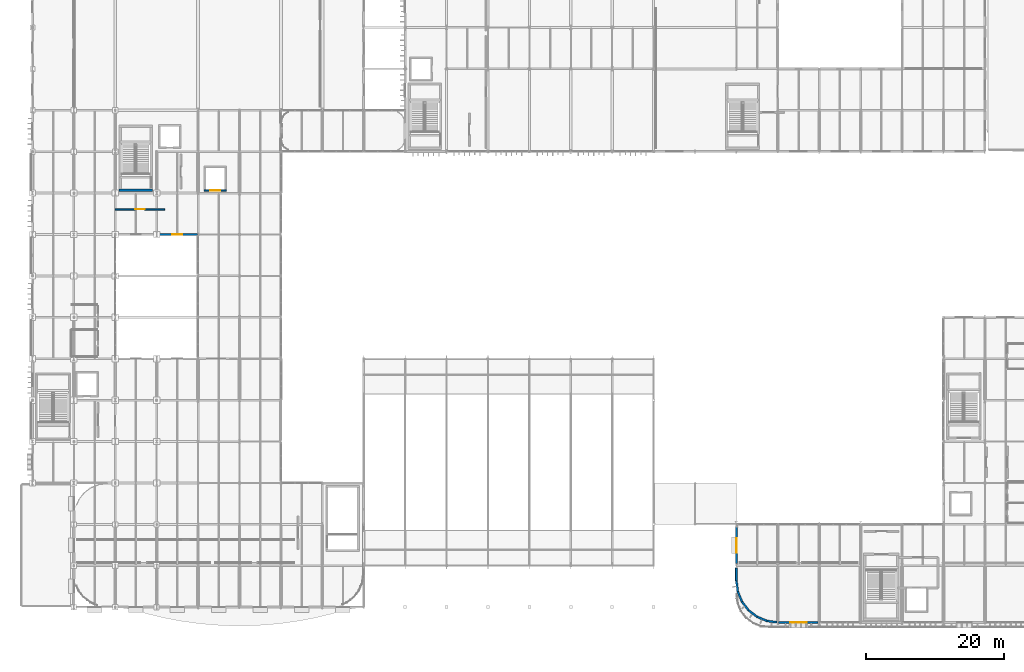
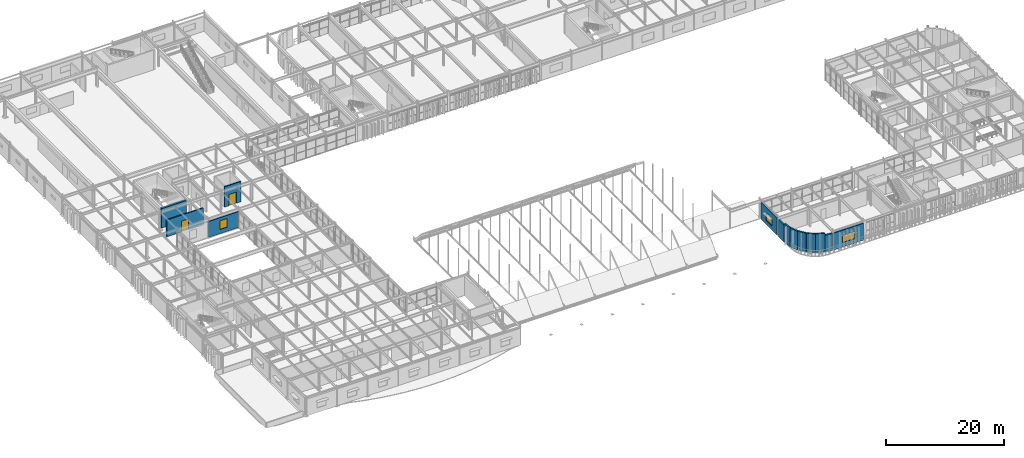
# One storey, part 87 of 116: 13 walls, 3 windows, 2 doors, 5 openings.
"""IFC4 building model written with IfcOpenShell, lengths in metres."""

from ifc_helpers import new_model, si_unit, direction, frame, frame_2d, origin, place, context, subcontext, project, spatial, rectangle, extrude, material, layer, layer_set, type_object, element, fill, save


model = new_model("IFC4")

# Units and contexts
model_context = context("Model", 3, precision=1e-05, world=origin(), true_north=direction((0.0, 1.0)))
body_context = subcontext(model_context, "Body", "Model", "MODEL_VIEW")
ifc_project = project(units=[si_unit("LENGTHUNIT", "METRE"), si_unit("AREAUNIT", "SQUARE_METRE"), si_unit("VOLUMEUNIT", "CUBIC_METRE"), si_unit("PLANEANGLEUNIT", "RADIAN"), si_unit("MASSUNIT", "GRAM", prefix="KILO")], contexts=[model_context])

# Site, building, storey
site_placement = place(None, origin())
site = spatial("IfcSite", under=ifc_project, at=site_placement, CompositionType="ELEMENT")
building_placement = place(site_placement, origin())
building = spatial("IfcBuilding", under=site, at=building_placement, Name="Varnakota Square Police Headquarters", CompositionType="ELEMENT")
storey_placement = place(building_placement, frame((0.0, 0.0, 9.300048828125)))
storey = spatial("IfcBuildingStorey", under=building, at=storey_placement, Name="L02", CompositionType="ELEMENT", Elevation=9.300048828125)

# Wall, opening, door
ifc_material_1 = material(Name="Concrete M40", Category="concrete")
ifc_layer_1 = layer(ifc_material_1, 0.22998046875, Name="Concrete M40")
ifc_layer_set_1 = layer_set([ifc_layer_1], Name="Concrete M40")
wall_type_1 = type_object("IfcWallType", Name="WL-CORE-230", PredefinedType="SHEAR", material=ifc_layer_set_1)
wall_1_placement = place(storey_placement, frame((30.885009765625, 63.39990234375, 0.0), z_axis=(0.0, 0.0, 1.0), x_axis=(1.0, 0.0, 0.0)))
wall_1 = element("IfcWall", 1, at=wall_1_placement, inside=storey, type_object=wall_type_1, Name="Lift shaft wall LF-G1 L02 S", PredefinedType="SHEAR", context=body_context, shape_type="SweptSolid", body=[
    extrude(rectangle(XDim=3.22998046875, YDim=0.22998046875, at=frame_2d((1.614990234375, 0.0))), origin(), (0.0, 0.0, 1.0), 4.199951171875),
])
opening_1_placement = place(wall_1_placement, frame((0.9150390625, 0.0, 0.0)))
opening_1 = element("IfcOpeningElement", 2, at=opening_1_placement, cuts=wall_1, Name="Opening LD047", PredefinedType="OPENING", context=body_context, shape_type="SweptSolid", body=[
    extrude(rectangle(XDim=1.39990234375, YDim=2.300048828125, at=frame_2d((0.699951171875, 1.14990234375))), frame((0.0, 0.125, 0.0), z_axis=(0.0, -1.0, 0.0), x_axis=(1.0, 0.0, 0.0)), (0.0, 0.0, 1.0), 0.25),
])
ifc_material_2 = material(Name="Heavy-Gauge Brushed Stainless Steel", Category="steel")
door_type_1 = type_object("IfcDoorType", Name="DR-LD-GDS", OperationType="NOTDEFINED", PredefinedType="DOOR", material=ifc_material_2)
door_1_placement = place(opening_1_placement, origin())
door_1 = element("IfcDoor", 3, at=door_1_placement, inside=storey, type_object=door_type_1, Name="Lift sliding landing door LD047", OperationType="SLIDING_TO_LEFT", OverallHeight=2.300048828125, OverallWidth=1.39990234375, PredefinedType="DOOR", context=body_context, shape_type="SweptSolid", body=[
    extrude(rectangle(XDim=1.39990234375, YDim=2.300048828125, at=frame_2d((0.699951171875, 1.14990234375))), frame((0.0, 0.02490234375, 0.0), z_axis=(0.0, -1.0, 0.0), x_axis=(1.0, 0.0, 0.0)), (0.0, 0.0, 1.0), 0.050048828125),
])
fill(opening_1, door_1)

# Wall
ifc_material_3 = material(Name="Concrete M50", Category="concrete")
ifc_layer_2 = layer(ifc_material_3, 0.35009765625, Name="Concrete M50")
ifc_layer_set_2 = layer_set([ifc_layer_2], Name="Concrete M50")
wall_type_2 = type_object("IfcWallType", Name="WL-CORE-350", PredefinedType="SHEAR", material=ifc_layer_set_2)
wall_2_placement = place(storey_placement, frame((18.52490234375, 63.39990234375, 0.0), z_axis=(0.0, 0.0, 1.0), x_axis=(1.0, 0.0, 0.0)))
element("IfcWall", 4, at=wall_2_placement, inside=storey, type_object=wall_type_2, Name="Core C5 shear wall L02 S", PredefinedType="SHEAR", context=body_context, shape_type="SweptSolid", body=[
    extrude(rectangle(XDim=4.85009765625, YDim=0.35009765625, at=frame_2d((2.425048828125, 0.0))), origin(), (0.0, 0.0, 1.0), 4.06005859375),
])

# Wall, opening, window
ifc_layer_3 = layer(ifc_material_1, 0.239990234375, Name="Concrete M40")
ifc_layer_set_3 = layer_set([ifc_layer_3], Name="Concrete M40")
wall_type_3 = type_object("IfcWallType", Name="WL-EXT-240", PredefinedType="SOLIDWALL", material=ifc_layer_set_3)
wall_3_placement = place(storey_placement, frame((24.0, 57.0, 0.0), z_axis=(0.0, 0.0, 1.0), x_axis=(1.0, 0.0, 0.0)))
wall_3 = element("IfcWall", 5, at=wall_3_placement, inside=storey, type_object=wall_type_3, Name="Court exterior wall EW-L02-0425", PredefinedType="SOLIDWALL", context=body_context, shape_type="SweptSolid", body=[
    extrude(rectangle(XDim=5.949951171875, YDim=0.239990234375, at=frame_2d((2.97509765625, 0.0))), origin(), (0.0, 0.0, 1.0), 3.2900390625),
])
opening_2_placement = place(wall_3_placement, frame((2.27490234375, 0.0, 0.85009765625)))
opening_2 = element("IfcOpeningElement", 6, at=opening_2_placement, cuts=wall_3, Name="Opening W16", PredefinedType="OPENING", context=body_context, shape_type="SweptSolid", body=[
    extrude(rectangle(XDim=1.39990234375, YDim=1.800048828125, at=frame_2d((0.699951171875, 0.89990234375))), frame((0.0, 0.1298828125, 0.0), z_axis=(0.0, -1.0, 0.0), x_axis=(1.0, 0.0, 0.0)), (0.0, 0.0, 1.0), 0.260009765625),
])
ifc_material_4 = material(Name="Thermally Broken Aluminium Double-Glazed Window", Category="aluminium")
window_type_1 = type_object("IfcWindowType", Name="WIN-16", PartitioningType="SINGLE_PANEL", PredefinedType="WINDOW", material=ifc_material_4)
window_1_placement = place(opening_2_placement, origin())
window_1 = element("IfcWindow", 7, at=window_1_placement, inside=storey, type_object=window_type_1, Name="Window WN-L02-0088", OverallHeight=1.800048828125, OverallWidth=1.39990234375, PartitioningType="SINGLE_PANEL", PredefinedType="WINDOW", context=body_context, shape_type="SweptSolid", body=[
    extrude(rectangle(XDim=1.39990234375, YDim=1.800048828125, at=frame_2d((0.699951171875, 0.89990234375))), frame((0.0, 0.030029296875, 0.0), z_axis=(0.0, -1.0, 0.0), x_axis=(1.0, 0.0, 0.0)), (0.0, 0.0, 1.0), 0.06005859375),
])
fill(opening_2, window_1)

ifc_layer_4 = layer(ifc_material_1, 0.280029296875, Name="Concrete M40")
ifc_layer_set_4 = layer_set([ifc_layer_4], Name="Concrete M40")
wall_type_4 = type_object("IfcWallType", Name="WL-EXT-280", PredefinedType="SOLIDWALL", material=ifc_layer_set_4)
wall_4_placement = place(storey_placement, frame((114.10888671875, 0.800048828125, 0.0), z_axis=(0.0, 0.0, 1.0), x_axis=(1.0, 0.0, 0.0)))
wall_4 = element("IfcWall", 8, at=wall_4_placement, inside=storey, type_object=wall_type_4, Name="Exterior wall EW-L02-0176", PredefinedType="SOLIDWALL", context=body_context, shape_type="SweptSolid", body=[
    extrude(rectangle(XDim=5.72705078125, YDim=0.280029296875, at=frame_2d((2.863525390625, 0.0))), origin(), (0.0, 0.0, 1.0), 3.483642578125),
])
opening_3_placement = place(wall_4_placement, frame((1.66357421875, 0.0, 0.89990234375)))
opening_3 = element("IfcOpeningElement", 9, at=opening_3_placement, cuts=wall_4, Name="Opening W02", PredefinedType="OPENING", context=body_context, shape_type="SweptSolid", body=[
    extrude(rectangle(XDim=2.39990234375, YDim=1.5, at=frame_2d((1.199951171875, 0.75))), frame((0.0, 0.14990234375, 0.0), z_axis=(0.0, -1.0, 0.0), x_axis=(1.0, 0.0, 0.0)), (0.0, 0.0, 1.0), 0.300048828125),
])
window_type_2 = type_object("IfcWindowType", Name="WIN-02", PartitioningType="SINGLE_PANEL", PredefinedType="WINDOW", material=ifc_material_4)
window_2_placement = place(opening_3_placement, origin())
window_2 = element("IfcWindow", 10, at=window_2_placement, inside=storey, type_object=window_type_2, Name="Window WN-L02-0026", OverallHeight=1.5, OverallWidth=2.39990234375, PartitioningType="SINGLE_PANEL", PredefinedType="WINDOW", context=body_context, shape_type="SweptSolid", body=[
    extrude(rectangle(XDim=2.39990234375, YDim=1.5, at=frame_2d((1.199951171875, 0.75))), frame((0.0, 0.030029296875, 0.0), z_axis=(0.0, -1.0, 0.0), x_axis=(1.0, 0.0, 0.0)), (0.0, 0.0, 1.0), 0.06005859375),
])
fill(opening_3, window_2)

# Wall
wall_5_placement = place(storey_placement, frame((108.0, 6.800048828125, 0.0), z_axis=(0.0, 0.0, 1.0), x_axis=(0.0, 1.0, 0.0)))
element("IfcWall", 11, at=wall_5_placement, inside=storey, type_object=wall_type_4, Name="Exterior wall EW-L02-0188", PredefinedType="SOLIDWALL", context=body_context, shape_type="SweptSolid", body=[
    extrude(rectangle(XDim=1.89599609375, YDim=0.280029296875, at=frame_2d((0.947998046875, 0.0))), origin(), (0.0, 0.0, 1.0), 3.566162109375),
])

# Wall, opening, window
wall_6_placement = place(storey_placement, frame((108.0, 9.303955078125, 0.0), z_axis=(0.0, 0.0, 1.0), x_axis=(0.0, 1.0, 0.0)))
wall_6 = element("IfcWall", 12, at=wall_6_placement, inside=storey, type_object=wall_type_4, Name="Exterior wall EW-L02-0189", PredefinedType="SOLIDWALL", context=body_context, shape_type="SweptSolid", body=[
    extrude(rectangle(XDim=5.2919921875, YDim=0.280029296875, at=frame_2d((2.64599609375, 0.0))), origin(), (0.0, 0.0, 1.0), 3.566162109375),
])
opening_4_placement = place(wall_6_placement, frame((1.595947265625, 0.0, 0.89990234375)))
opening_4 = element("IfcOpeningElement", 13, at=opening_4_placement, cuts=wall_6, Name="Opening W08", PredefinedType="OPENING", context=body_context, shape_type="SweptSolid", body=[
    extrude(rectangle(XDim=2.10009765625, YDim=1.5, at=frame_2d((1.050048828125, 0.75))), frame((0.0, 0.14990234375, 0.0), z_axis=(0.0, -1.0, 0.0), x_axis=(1.0, 0.0, 0.0)), (0.0, 0.0, 1.0), 0.300048828125),
])
window_type_3 = type_object("IfcWindowType", Name="WIN-08", PartitioningType="SINGLE_PANEL", PredefinedType="WINDOW", material=ifc_material_4)
window_3_placement = place(opening_4_placement, origin())
window_3 = element("IfcWindow", 14, at=window_3_placement, inside=storey, type_object=window_type_3, Name="Window WN-L02-0029", OverallHeight=1.5, OverallWidth=2.10009765625, PartitioningType="SINGLE_PANEL", PredefinedType="WINDOW", context=body_context, shape_type="SweptSolid", body=[
    extrude(rectangle(XDim=2.10009765625, YDim=1.5, at=frame_2d((1.050048828125, 0.75))), frame((0.0, 0.030029296875, 0.0), z_axis=(0.0, -1.0, 0.0), x_axis=(1.0, 0.0, 0.0)), (0.0, 0.0, 1.0), 0.06005859375),
])
fill(opening_4, window_3)

# Walls
ifc_material_5 = material(Name="Precast concrete M40", Category="concrete")
ifc_layer_5 = layer(ifc_material_5, 0.300048828125, Name="Precast concrete M40")
ifc_layer_set_5 = layer_set([ifc_layer_5], Name="Precast concrete M40")
wall_type_5 = type_object("IfcWallType", Name="WL-EXT-300", PredefinedType="SOLIDWALL", material=ifc_layer_set_5)
wall_7_placement = place(storey_placement, frame((108.0, 6.800048828125, 0.0), z_axis=(0.0, 0.0, 1.0), x_axis=(0.130458544462, -0.991453765022, 0.0)))
element("IfcWall", 15, at=wall_7_placement, inside=storey, type_object=wall_type_5, Name="Exterior wall EW-L02-0193", PredefinedType="SOLIDWALL", context=body_context, shape_type="SweptSolid", body=[
    extrude(rectangle(XDim=1.56640625, YDim=0.300048828125, at=frame_2d((0.783203125, 0.0))), origin(), (0.0, 0.0, 1.0), 3.89501953125),
])
wall_8_placement = place(storey_placement, frame((108.204345703125, 5.2470703125, 0.0), z_axis=(0.0, 0.0, 1.0), x_axis=(0.382677606907, -0.923881945474, 0.0)))
element("IfcWall", 16, at=wall_8_placement, inside=storey, type_object=wall_type_5, Name="Exterior wall EW-L02-0194", PredefinedType="SOLIDWALL", context=body_context, shape_type="SweptSolid", body=[
    extrude(rectangle(XDim=1.566162109375, YDim=0.300048828125, at=frame_2d((0.783203125, 0.0))), origin(), (0.0, 0.0, 1.0), 3.89501953125),
])
for number, where, z_axis, x_axis, name in (
    (17, (108.8037109375, 3.800048828125, 0.0), (0.0, 0.0, 1.0), (0.608791411033, -0.793330333374, 0.0), "Exterior wall EW-L02-0195"),
    (18, (109.75732421875, 2.557373046875, 0.0), (0.0, 0.0, 1.0), (0.793330333374, -0.608791411033, 0.0), "Exterior wall EW-L02-0196"),
):
    element("IfcWall", number, at=place(storey_placement, frame(where, z_axis=z_axis, x_axis=x_axis)), inside=storey, type_object=wall_type_5, Name=name, PredefinedType="SOLIDWALL", context=body_context, shape_type="SweptSolid", body=[
        extrude(rectangle(XDim=1.56640625, YDim=0.300048828125, at=frame_2d((0.783203125, 0.0))), origin(), (0.0, 0.0, 1.0), 3.89501953125),
    ])
wall_9_placement = place(storey_placement, frame((111.0, 1.603759765625, 0.0), z_axis=(0.0, 0.0, 1.0), x_axis=(0.923881945474, -0.382677606907, 0.0)))
element("IfcWall", 19, at=wall_9_placement, inside=storey, type_object=wall_type_5, Name="Exterior wall EW-L02-0197", PredefinedType="SOLIDWALL", context=body_context, shape_type="SweptSolid", body=[
    extrude(rectangle(XDim=1.566162109375, YDim=0.300048828125, at=frame_2d((0.783203125, 0.0))), origin(), (0.0, 0.0, 1.0), 3.89501953125),
])
wall_10_placement = place(storey_placement, frame((112.447021484375, 1.00439453125, 0.0), z_axis=(0.0, 0.0, 1.0), x_axis=(0.991438478362, -0.130574666853, 0.0)))
element("IfcWall", 20, at=wall_10_placement, inside=storey, type_object=wall_type_5, Name="Exterior wall EW-L02-0198", PredefinedType="SOLIDWALL", context=body_context, shape_type="SweptSolid", body=[
    extrude(rectangle(XDim=1.419189453125, YDim=0.300048828125, at=frame_2d((0.70947265625, 0.0))), origin(), (0.0, 0.0, 1.0), 3.483642578125),
])

# Wall, opening, door
ifc_layer_6 = layer(ifc_material_1, 0.215087890625, Name="Concrete M40")
ifc_layer_set_6 = layer_set([ifc_layer_6], Name="Concrete M40")
wall_type_6 = type_object("IfcWallType", Name="WL-PRT-215F", PredefinedType="PARTITIONING", material=ifc_layer_set_6)
wall_11_placement = place(storey_placement, frame((25.159912109375, 60.64990234375, 0.0), z_axis=(0.0, 0.0, 1.0), x_axis=(-1.0, 0.0, 0.0)))
wall_11 = element("IfcWall", 21, at=wall_11_placement, inside=storey, type_object=wall_type_6, Name="Interior partition PW-L02-0142 (Evidence Storage Vault North)", PredefinedType="PARTITIONING", context=body_context, shape_type="SweptSolid", body=[
    extrude(rectangle(XDim=7.159912109375, YDim=0.215087890625, at=frame_2d((3.580078125, 0.0))), origin(), (0.0, 0.0, 1.0), 3.489990234375),
])
opening_5_placement = place(wall_11_placement, frame((2.8798828125, 0.0, 0.0)))
opening_5 = element("IfcOpeningElement", 22, at=opening_5_placement, cuts=wall_11, Name="Opening D229", PredefinedType="OPENING", context=body_context, shape_type="SweptSolid", body=[
    extrude(rectangle(XDim=1.39990234375, YDim=2.25, at=frame_2d((0.699951171875, 1.125))), frame((0.0, 0.117431640625, 0.0), z_axis=(0.0, -1.0, 0.0), x_axis=(1.0, 0.0, 0.0)), (0.0, 0.0, 1.0), 0.235107421875),
])
ifc_material_6 = material(Name="Heavy-Plate Ballistic Armour Steel", Category="steel")
door_type_2 = type_object("IfcDoorType", Name="DR-VLT-140", OperationType="NOTDEFINED", PredefinedType="DOOR", material=ifc_material_6)
door_2_placement = place(opening_5_placement, origin())
door_2 = element("IfcDoor", 23, at=door_2_placement, inside=storey, type_object=door_type_2, Name="Room door D229 (Evidence Storage Vault North)", OperationType="SINGLE_SWING_RIGHT", OverallHeight=2.25, OverallWidth=1.39990234375, PredefinedType="DOOR", context=body_context, shape_type="SweptSolid", body=[
    extrude(rectangle(XDim=1.39990234375, YDim=2.25, at=frame_2d((0.699951171875, 1.125))), frame((0.0, 0.02490234375, 0.0), z_axis=(0.0, -1.0, 0.0), x_axis=(1.0, 0.0, 0.0)), (0.0, 0.0, 1.0), 0.050048828125),
])
fill(opening_5, door_2)

save(model, "model.ifc")
